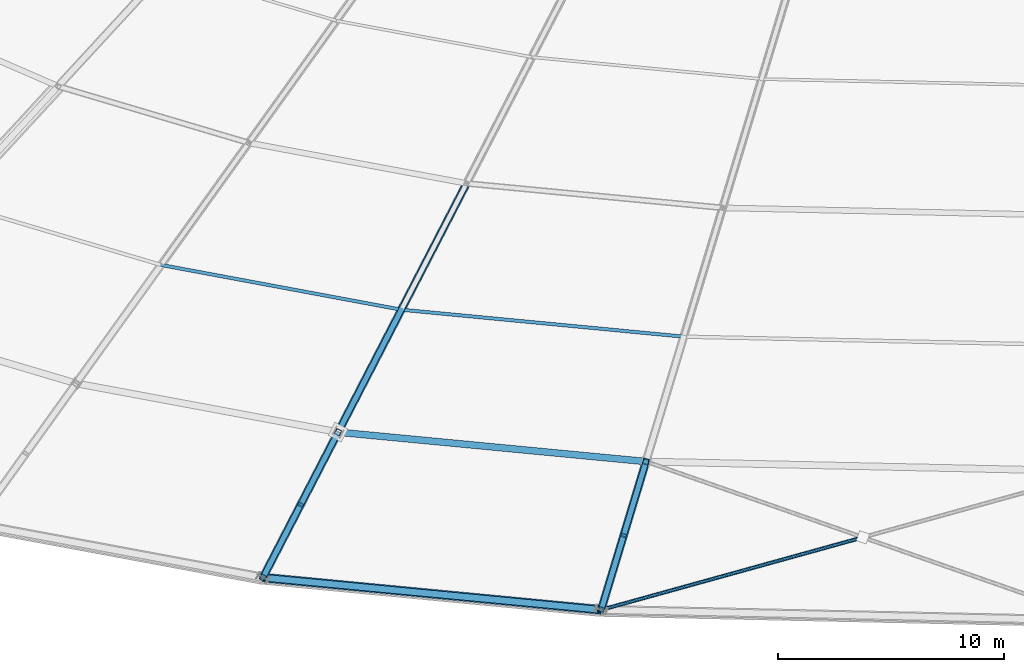
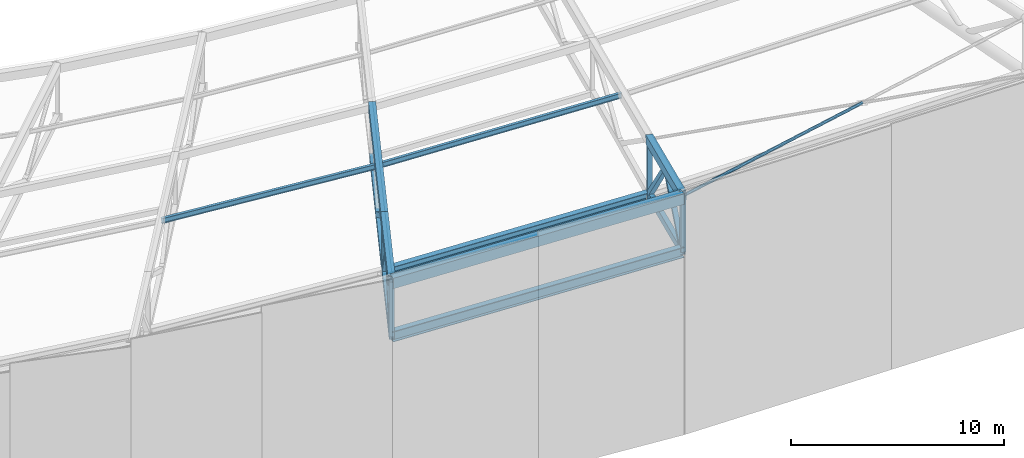
# One storey, part 29 of 143: 12 members, 9 beams.
"""IFC4 building model written with IfcOpenShell, lengths in metres."""

from ifc_helpers import new_model, si_unit, direction, frame, origin, origin_2d, place, context, subcontext, project, spatial, hollow_rectangle, hollow_circle, i_section, extrude, material, material_profile, profile_set, type_object, element, save


model = new_model("IFC4")

# Units and contexts
model_context = context("Model", 3, precision=1e-05, world=origin(), true_north=direction((0.0, 1.0)))
body_context = subcontext(model_context, "Body", "Model", "MODEL_VIEW")
ifc_project = project(units=[si_unit("LENGTHUNIT", "METRE"), si_unit("AREAUNIT", "SQUARE_METRE"), si_unit("VOLUMEUNIT", "CUBIC_METRE"), si_unit("PLANEANGLEUNIT", "RADIAN"), si_unit("MASSUNIT", "GRAM", prefix="KILO")], contexts=[model_context])

# Site, building, storey
site_placement = place(None, origin())
site = spatial("IfcSite", under=ifc_project, at=site_placement, CompositionType="ELEMENT")
building_placement = place(site_placement, origin())
building = spatial("IfcBuilding", under=site, at=building_placement, Name="Mphavela Belvedere Stadium", CompositionType="ELEMENT")
storey_placement = place(building_placement, frame((0.0, 0.0, 28.800048828125)))
storey = spatial("IfcBuildingStorey", under=building, at=storey_placement, Name="RF", CompositionType="ELEMENT", Elevation=28.800048828125)

# Beams
ifc_material_1 = material(Name="Steel S355", Category="steel")
ifc_material_profile_1 = material_profile(ifc_material_1, hollow_rectangle(XDim=0.39990234375, YDim=0.60009765625, WallThickness=0.02001953125, at=origin_2d()), Name="RHS 600x400x20")
ifc_profile_set_1 = profile_set([ifc_material_profile_1], Name="Steel S355")
beam_type_1 = type_object("IfcBeamType", Name="BM-RING-OUT", PredefinedType="BEAM", material=ifc_profile_set_1)
beam_1_placement = place(storey_placement, frame((77.92724609375, 15.232666015625, 12.962890625), z_axis=(0.994976959391, -0.094887306366, 0.031894347031), x_axis=(0.094935605244, 0.995483415661, 0.0)))
element("IfcBeam", 1, at=beam_1_placement, inside=storey, type_object=beam_type_1, Name="Perimeter compression ring beam RB-OUT-35", PredefinedType="BEAM", context=body_context, shape_type="SweptSolid", body=[
    extrude(hollow_rectangle(XDim=0.39990234375, YDim=0.60009765625, WallThickness=0.02001953125, at=origin_2d()), origin(), (0.0, 0.0, 1.0), 15.03369140625),
])
ifc_material_2 = material(Name="Steel S355", Category="steel")
ifc_material_profile_2 = material_profile(ifc_material_2, i_section(OverallWidth=0.300048828125, OverallDepth=0.39990234375, WebThickness=0.013427734375, FlangeThickness=0.02392578125, at=origin_2d()), Name="HEB 400")
ifc_profile_set_2 = profile_set([ifc_material_profile_2], Name="Steel S355")
beam_type_2 = type_object("IfcBeamType", Name="BM-STEEL-HEB400", PredefinedType="BEAM", material=ifc_profile_set_2)
beam_2_placement = place(storey_placement, frame((81.249755859375, 21.66455078125, 8.485595703125), z_axis=(0.994977349993, -0.094882918131, 0.031895216698), x_axis=(0.094931217412, 0.995483834103, 0.0)))
element("IfcBeam", 2, at=beam_2_placement, inside=storey, type_object=beam_type_2, Name="Roof bottom-chord tie girder R3-35", PredefinedType="BEAM", context=body_context, shape_type="SweptSolid", body=[
    extrude(i_section(OverallWidth=0.300048828125, OverallDepth=0.39990234375, WebThickness=0.013427734375, FlangeThickness=0.02392578125, at=origin_2d()), origin(), (0.0, 0.0, 1.0), 13.686279296875),
])
ifc_material_3 = material(Name="Steel S355", Category="steel")
ifc_material_profile_3 = material_profile(ifc_material_3, i_section(OverallWidth=0.300048828125, OverallDepth=0.60009765625, WebThickness=0.015380859375, FlangeThickness=0.030029296875, at=origin_2d()), Name="HEB 600")
ifc_profile_set_3 = profile_set([ifc_material_profile_3], Name="Steel S355")
beam_type_3 = type_object("IfcBeamType", Name="BM-STEEL-HEB600", PredefinedType="BEAM", material=ifc_profile_set_3)
beam_3_placement = place(storey_placement, frame((77.92724609375, 15.232666015625, 9.867919921875), z_axis=(0.994976959391, -0.094887306366, 0.031894347031), x_axis=(0.094935605244, 0.995483415661, 0.0)))
element("IfcBeam", 3, at=beam_3_placement, inside=storey, type_object=beam_type_3, Name="Roof bottom-chord tie girder R4-35", PredefinedType="BEAM", context=body_context, shape_type="SweptSolid", body=[
    extrude(i_section(OverallWidth=0.300048828125, OverallDepth=0.60009765625, WebThickness=0.015380859375, FlangeThickness=0.030029296875, at=origin_2d()), origin(), (0.0, 0.0, 1.0), 15.03369140625),
])
ifc_material_4 = material(Name="Steel S355", Category="steel")
ifc_material_profile_4 = material_profile(ifc_material_4, hollow_rectangle(XDim=0.25, YDim=0.39990234375, WallThickness=0.01611328125, at=origin_2d()), Name="RHS 400x250x16")
ifc_profile_set_4 = profile_set([ifc_material_profile_4], Name="Steel S355")
beam_type_4 = type_object("IfcBeamType", Name="BM-TRUSS-BC2", PredefinedType="BEAM", material=ifc_profile_set_4)
beam_4_placement = place(storey_placement, frame((77.92724609375, 15.232666015625, 9.867919921875), z_axis=(0.450806584804, 0.872694501922, -0.187557269686), x_axis=(-0.888461432436, 0.458951286165, 0.0)))
element("IfcBeam", 4, at=beam_4_placement, inside=storey, type_object=beam_type_4, Name="Radial roof truss RT-35 bottom chord 1", PredefinedType="BEAM", context=body_context, shape_type="SweptSolid", body=[
    extrude(hollow_rectangle(XDim=0.25, YDim=0.39990234375, WallThickness=0.01611328125, at=origin_2d()), origin(), (0.0, 0.0, 1.0), 7.3701171875),
])
beam_5_placement = place(storey_placement, frame((81.249755859375, 21.66455078125, 8.485595703125), z_axis=(0.452410073989, 0.875785367681, -0.168300667586), x_axis=(-0.888458600926, 0.458956767507, 0.0)))
element("IfcBeam", 5, at=beam_5_placement, inside=storey, type_object=beam_type_4, Name="Radial roof truss RT-35 bottom chord 2", PredefinedType="BEAM", context=body_context, shape_type="SweptSolid", body=[
    extrude(hollow_rectangle(XDim=0.25, YDim=0.39990234375, WallThickness=0.01611328125, at=origin_2d()), origin(), (0.0, 0.0, 1.0), 12.5625),
])
beam_6_placement = place(storey_placement, frame((92.885498046875, 13.80615234375, 10.347412109375), z_axis=(0.283128197914, 0.937214679037, -0.203634645734), x_axis=(-0.95727245631, 0.28918755919, 0.0)))
element("IfcBeam", 6, at=beam_6_placement, inside=storey, type_object=beam_type_4, Name="Radial roof truss RT-36 bottom chord 1", PredefinedType="BEAM", context=body_context, shape_type="SweptSolid", body=[
    extrude(hollow_rectangle(XDim=0.25, YDim=0.39990234375, WallThickness=0.01611328125, at=origin_2d()), origin(), (0.0, 0.0, 1.0), 6.999267578125),
])
ifc_material_5 = material(Name="Steel S355", Category="steel")
ifc_material_profile_5 = material_profile(ifc_material_5, hollow_rectangle(XDim=0.35009765625, YDim=0.5, WallThickness=0.02001953125, at=origin_2d()), Name="RHS 500x350x20")
ifc_profile_set_5 = profile_set([ifc_material_profile_5], Name="Steel S355")
beam_type_5 = type_object("IfcBeamType", Name="BM-TRUSS-TC2", PredefinedType="BEAM", material=ifc_profile_set_5)
beam_7_placement = place(storey_placement, frame((77.92724609375, 15.232666015625, 13.017822265625), z_axis=(0.450809385422, 0.872699923502, -0.187525309051), x_axis=(-0.888461432436, 0.458951286165, 0.0)))
element("IfcBeam", 7, at=beam_7_placement, inside=storey, type_object=beam_type_5, Name="Radial roof truss RT-35 top chord 1", PredefinedType="BEAM", context=body_context, shape_type="SweptSolid", body=[
    extrude(hollow_rectangle(XDim=0.35009765625, YDim=0.5, WallThickness=0.02001953125, at=origin_2d()), origin(), (0.0, 0.0, 1.0), 7.3701171875),
])
beam_8_placement = place(storey_placement, frame((81.249755859375, 21.66455078125, 11.6357421875), z_axis=(0.450812084238, 0.872691943989, -0.187555953256), x_axis=(-0.888458600926, 0.458956767507, 0.0)))
element("IfcBeam", 8, at=beam_8_placement, inside=storey, type_object=beam_type_5, Name="Radial roof truss RT-35 top chord 2", PredefinedType="BEAM", context=body_context, shape_type="SweptSolid", body=[
    extrude(hollow_rectangle(XDim=0.35009765625, YDim=0.5, WallThickness=0.02001953125, at=origin_2d()), origin(), (0.0, 0.0, 1.0), 12.60693359375),
])
beam_9_placement = place(storey_placement, frame((92.885498046875, 13.80615234375, 13.497314453125), z_axis=(0.283130208811, 0.937221335535, -0.203601210894), x_axis=(-0.95727245631, 0.28918755919, 0.0)))
element("IfcBeam", 9, at=beam_9_placement, inside=storey, type_object=beam_type_5, Name="Radial roof truss RT-36 top chord 1", PredefinedType="BEAM", context=body_context, shape_type="SweptSolid", body=[
    extrude(hollow_rectangle(XDim=0.35009765625, YDim=0.5, WallThickness=0.02001953125, at=origin_2d()), origin(), (0.0, 0.0, 1.0), 6.999267578125),
])

# Members
ifc_material_6 = material(Name="Steel S355", Category="steel")
ifc_material_profile_6 = material_profile(ifc_material_6, hollow_rectangle(XDim=0.25, YDim=0.25, WallThickness=0.012451171875, at=origin_2d()), Name="SHS 250x250x12.5")
ifc_profile_set_6 = profile_set([ifc_material_profile_6], Name="Steel S355")
member_type_1 = type_object("IfcMemberType", Name="MEM-POST-SHS250", PredefinedType="POST", material=ifc_profile_set_6)
member_1_placement = place(storey_placement, frame((77.92724609375, 15.232666015625, 9.867919921875), z_axis=(0.0, 0.0, 1.0), x_axis=(-0.458959712465, -0.888457079624, 0.0)))
element("IfcMember", 10, at=member_1_placement, inside=storey, type_object=member_type_1, Name="Radial roof truss RT-35 post P1", PredefinedType="POST", context=body_context, shape_type="SweptSolid", body=[
    extrude(hollow_rectangle(XDim=0.25, YDim=0.25, WallThickness=0.012451171875, at=origin_2d()), origin(), (0.0, 0.0, 1.0), 3.14990234375),
])
member_2_placement = place(storey_placement, frame((81.249755859375, 21.66455078125, 8.485595703125), z_axis=(0.0, 0.0, 1.0), x_axis=(-0.458959712465, -0.888457079624, 0.0)))
element("IfcMember", 11, at=member_2_placement, inside=storey, type_object=member_type_1, Name="Radial roof truss RT-35 post P2", PredefinedType="POST", context=body_context, shape_type="SweptSolid", body=[
    extrude(hollow_rectangle(XDim=0.25, YDim=0.25, WallThickness=0.012451171875, at=origin_2d()), origin(), (0.0, 0.0, 1.0), 3.150146484375),
])
member_3_placement = place(storey_placement, frame((77.92724609375, 15.232666015625, 9.867919921875), z_axis=(0.379631562425, 0.734936352185, 0.561914971368), x_axis=(-0.888468080483, 0.458938416308, 0.0)))
element("IfcMember", 12, at=member_3_placement, inside=storey, type_object=member_type_1, Name="Radial roof truss RT-35 web diagonal D1", PredefinedType="POST", context=body_context, shape_type="SweptSolid", body=[
    extrude(hollow_rectangle(XDim=0.25, YDim=0.25, WallThickness=0.012451171875, at=origin_2d()), origin(), (0.0, 0.0, 1.0), 4.375732421875),
])
member_4_placement = place(storey_placement, frame((79.58837890625, 18.448486328125, 12.32666015625), z_axis=(0.314775449626, 0.609336810862, -0.727753438495), x_axis=(-0.888454784808, 0.458964154757, 0.0)))
element("IfcMember", 13, at=member_4_placement, inside=storey, type_object=member_type_1, Name="Radial roof truss RT-35 web diagonal D2", PredefinedType="POST", context=body_context, shape_type="SweptSolid", body=[
    extrude(hollow_rectangle(XDim=0.25, YDim=0.25, WallThickness=0.012451171875, at=origin_2d()), origin(), (0.0, 0.0, 1.0), 5.278076171875),
])
member_5_placement = place(storey_placement, frame((81.249755859375, 21.66455078125, 11.6357421875), z_axis=(0.379595340709, 0.734860573662, -0.562038534791), x_axis=(-0.888466640129, 0.458941204707, 0.0)))
element("IfcMember", 14, at=member_5_placement, inside=storey, type_object=member_type_1, Name="Radial roof truss RT-35 web diagonal D3", PredefinedType="POST", context=body_context, shape_type="SweptSolid", body=[
    extrude(hollow_rectangle(XDim=0.25, YDim=0.25, WallThickness=0.012451171875, at=origin_2d()), origin(), (0.0, 0.0, 1.0), 7.48583984375),
])
member_6_placement = place(storey_placement, frame((92.885498046875, 13.80615234375, 10.347412109375), z_axis=(0.0, 0.0, 1.0), x_axis=(-0.289198876314, -0.957269037387, 0.0)))
element("IfcMember", 15, at=member_6_placement, inside=storey, type_object=member_type_1, Name="Radial roof truss RT-36 post P1", PredefinedType="POST", context=body_context, shape_type="SweptSolid", body=[
    extrude(hollow_rectangle(XDim=0.25, YDim=0.25, WallThickness=0.012451171875, at=origin_2d()), origin(), (0.0, 0.0, 1.0), 3.14990234375),
])
member_7_placement = place(storey_placement, frame((94.8671875, 20.365966796875, 8.922119140625), z_axis=(0.0, 0.0, 1.0), x_axis=(-0.289198876314, -0.957269037387, 0.0)))
element("IfcMember", 16, at=member_7_placement, inside=storey, type_object=member_type_1, Name="Radial roof truss RT-36 post P2", PredefinedType="POST", context=body_context, shape_type="SweptSolid", body=[
    extrude(hollow_rectangle(XDim=0.25, YDim=0.25, WallThickness=0.012451171875, at=origin_2d()), origin(), (0.0, 0.0, 1.0), 3.150146484375),
])
member_8_placement = place(storey_placement, frame((92.885498046875, 13.80615234375, 10.347412109375), z_axis=(0.235671930257, 0.780057251293, 0.579628696662), x_axis=(-0.957265573066, 0.289210343214, 0.0)))
element("IfcMember", 17, at=member_8_placement, inside=storey, type_object=member_type_1, Name="Radial roof truss RT-36 web diagonal D1", PredefinedType="POST", context=body_context, shape_type="SweptSolid", body=[
    extrude(hollow_rectangle(XDim=0.25, YDim=0.25, WallThickness=0.012451171875, at=origin_2d()), origin(), (0.0, 0.0, 1.0), 4.204833984375),
])
member_9_placement = place(storey_placement, frame((93.87646484375, 17.086181640625, 12.78466796875), z_axis=(0.191884501069, 0.635233215219, -0.748103669642), x_axis=(-0.957279339623, 0.289164772978, 0.0)))
element("IfcMember", 18, at=member_9_placement, inside=storey, type_object=member_type_1, Name="Radial roof truss RT-36 web diagonal D2", PredefinedType="POST", context=body_context, shape_type="SweptSolid", body=[
    extrude(hollow_rectangle(XDim=0.25, YDim=0.25, WallThickness=0.012451171875, at=origin_2d()), origin(), (0.0, 0.0, 1.0), 5.1630859375),
])
ifc_material_7 = material(Name="Steel S355", Category="steel")
ifc_material_profile_7 = material_profile(ifc_material_7, i_section(OverallWidth=0.14990234375, OverallDepth=0.300048828125, WebThickness=0.007080078125, FlangeThickness=0.0107421875, at=origin_2d()), Name="IPE 300")
ifc_profile_set_7 = profile_set([ifc_material_profile_7], Name="Steel S355")
member_type_2 = type_object("IfcMemberType", Name="MEM-PURLIN-IPE300", PredefinedType="PURLIN", material=ifc_profile_set_7)
member_10_placement = place(storey_placement, frame((73.420654296875, 29.06005859375, 9.644775390625), z_axis=(0.981396162786, -0.182760459831, 0.058823345633), x_axis=(0.18307747536, 0.983098488462, 0.0)))
element("IfcMember", 19, at=member_10_placement, inside=storey, type_object=member_type_2, Name="Saddle canopy steel purlin 34-2", PredefinedType="PURLIN", context=body_context, shape_type="SweptSolid", body=[
    extrude(i_section(OverallWidth=0.14990234375, OverallDepth=0.300048828125, WebThickness=0.007080078125, FlangeThickness=0.0107421875, at=origin_2d()), origin(), (0.0, 0.0, 1.0), 10.828369140625),
])
member_11_placement = place(storey_placement, frame((84.047607421875, 27.0810546875, 10.28173828125), z_axis=(0.994978106936, -0.09488022844, 0.031879601151), x_axis=(0.094928479035, 0.995484095236, 0.0)))
element("IfcMember", 20, at=member_11_placement, inside=storey, type_object=member_type_2, Name="Saddle canopy steel purlin 35-2", PredefinedType="PURLIN", context=body_context, shape_type="SweptSolid", body=[
    extrude(i_section(OverallWidth=0.14990234375, OverallDepth=0.300048828125, WebThickness=0.007080078125, FlangeThickness=0.0107421875, at=origin_2d()), origin(), (0.0, 0.0, 1.0), 12.5517578125),
])
ifc_material_8 = material(Name="Steel S355", Category="steel")
ifc_material_profile_8 = material_profile(ifc_material_8, hollow_circle(Radius=0.084228515625, WallThickness=0.010009765625, at=origin_2d()), Name="CHS 168.3x10")
ifc_profile_set_8 = profile_set([ifc_material_profile_8], Name="Steel S355")
member_type_3 = type_object("IfcMemberType", Name="MEM-ROOF-XBRACE", PredefinedType="BRACE", material=ifc_profile_set_8)
member_12_placement = place(storey_placement, frame((92.885498046875, 13.80615234375, 13.497314453125), z_axis=(0.962218875749, 0.266555835347, -0.055523164485), x_axis=(-0.266967659847, 0.963705488516, 0.0)))
element("IfcMember", 21, at=member_12_placement, inside=storey, type_object=member_type_3, Name="Roof diaphragm split X-brace B1 36", PredefinedType="BRACE", context=body_context, shape_type="SweptSolid", body=[
    extrude(hollow_circle(Radius=0.084228515625, WallThickness=0.010009765625, at=origin_2d()), origin(), (0.0, 0.0, 1.0), 12.030517578125),
])

save(model, "model.ifc")
